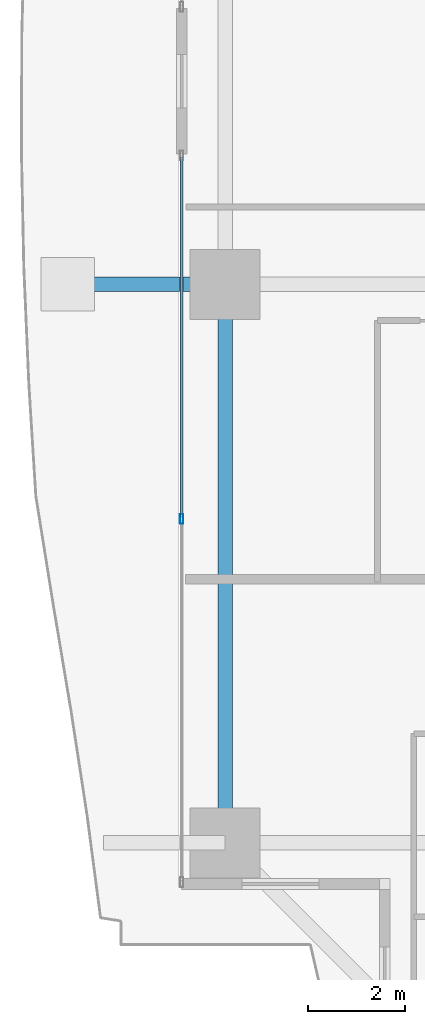
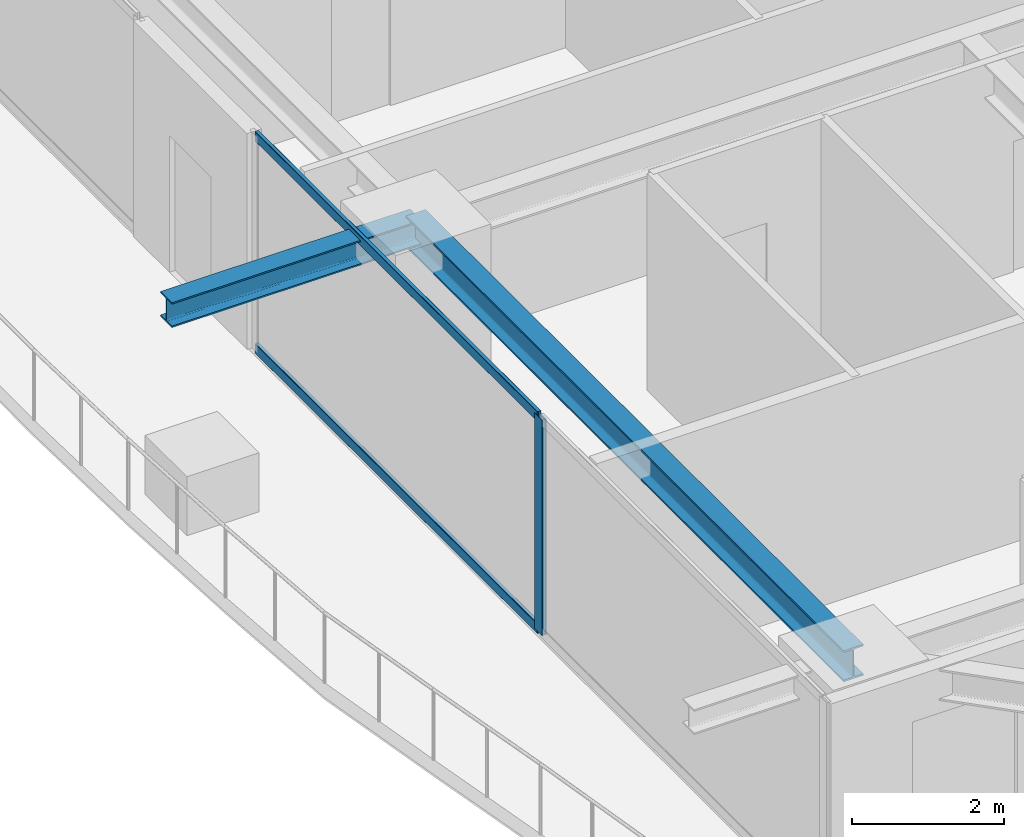
# One storey, part 6 of 36: 3 members, 2 beams, 1 element without a shape of its own.
"""IFC4 building model written with IfcOpenShell, lengths in metres."""

from ifc_helpers import new_model, si_unit, direction, frame, origin, origin_2d, place, context, subcontext, project, spatial, hollow_rectangle, i_section, extrude, source, transform, mapped, material, layer, layer_set, material_profile, profile_set, type_object, element, aggregate, save


model = new_model("IFC4")

# Units and contexts
model_context = context("Model", 3, precision=1e-05, world=origin(), true_north=direction((0.0, 1.0)))
body_context = subcontext(model_context, "Body", "Model", "MODEL_VIEW")
ifc_project = project(units=[si_unit("LENGTHUNIT", "METRE"), si_unit("AREAUNIT", "SQUARE_METRE"), si_unit("VOLUMEUNIT", "CUBIC_METRE"), si_unit("PLANEANGLEUNIT", "RADIAN"), si_unit("MASSUNIT", "GRAM", prefix="KILO")], contexts=[model_context])

# Site, building, storey
site_placement = place(None, origin())
site = spatial("IfcSite", under=ifc_project, at=site_placement, CompositionType="ELEMENT")
building_placement = place(site_placement, origin())
building = spatial("IfcBuilding", under=site, at=building_placement, Name="Serunith Strait Residences", CompositionType="ELEMENT")
storey_placement = place(building_placement, frame((0.0, 0.0, 41.699951171875)))
storey = spatial("IfcBuildingStorey", under=building, at=storey_placement, Name="L09", CompositionType="ELEMENT", Elevation=41.699951171875)

# Beams
ifc_material_1 = material(Name="Steel S355J2", Category="steel")
ifc_material_profile_1 = material_profile(ifc_material_1, i_section(OverallWidth=0.300048828125, OverallDepth=0.5, WebThickness=0.014404296875, FlangeThickness=0.028076171875, FilletRadius=0.027099609375, at=origin_2d()), Name="HEB 500")
ifc_profile_set_1 = profile_set([ifc_material_profile_1], Name="Steel S355J2")
beam_type_1 = type_object("IfcBeamType", Name="BM-HEB500", PredefinedType="BEAM", material=ifc_profile_set_1)
shared_shape_1 = source(origin(), body_context, "Body", "SweptSolid", [
    extrude(i_section(OverallWidth=0.300048828125, OverallDepth=0.5, WebThickness=0.014404296875, FlangeThickness=0.028076171875, FilletRadius=0.027099609375, at=origin_2d()), origin(), (0.0, 0.0, 1.0), 11.550048828125),
])
beam_1_placement = place(storey_placement, frame((6.89990234375, 21.0, 3.237060546875), z_axis=(0.0, -1.0, 0.0), x_axis=(1.0, 0.0, 0.0)))
element("IfcBeam", 1, at=beam_1_placement, inside=storey, type_object=beam_type_1, Name="L09 Perimeter Ring Beam 15", PredefinedType="BEAM", context=body_context, shape_type="MappedRepresentation", body=[
    mapped(shared_shape_1, transform((0.0, 0.0, 0.0), scale=1.0)),
])
ifc_material_profile_2 = material_profile(ifc_material_1, i_section(OverallWidth=0.300048828125, OverallDepth=0.39990234375, WebThickness=0.013427734375, FlangeThickness=0.02392578125, FilletRadius=0.027099609375, at=origin_2d()), Name="HEB 400")
ifc_profile_set_2 = profile_set([ifc_material_profile_2], Name="Steel S355J2")
beam_type_2 = type_object("IfcBeamType", Name="BM-HEB400", PredefinedType="BEAM", material=ifc_profile_set_2)
shared_shape_2 = source(origin(), body_context, "Body", "SweptSolid", [
    extrude(i_section(OverallWidth=0.300048828125, OverallDepth=0.39990234375, WebThickness=0.013427734375, FlangeThickness=0.02392578125, FilletRadius=0.027099609375, at=origin_2d()), origin(), (0.0, 0.0, 1.0), 3.7998046875),
])
beam_2_placement = place(storey_placement, frame((6.89990234375, 21.0, 3.257080078125), z_axis=(-1.0, 0.0, 0.0), x_axis=(0.0, -1.0, 0.0)))
element("IfcBeam", 2, at=beam_2_placement, inside=storey, type_object=beam_type_2, Name="L10 Cantilevered Balcony Rib TC-W2", PredefinedType="BEAM", context=body_context, shape_type="MappedRepresentation", body=[
    mapped(shared_shape_2, transform((0.0, 0.0, 0.0), scale=1.0)),
])

# Curtain wall, members
ifc_material_2 = material(Name="Pale-Champagne Anodised Aluminium", Category="aluminium")
ifc_layer = layer(ifc_material_2, 0.199951171875, Name="Pale-Champagne Anodised Aluminium")
ifc_layer_set = layer_set([ifc_layer], Name="Pale-Champagne Anodised Aluminium")
curtain_wall_type = type_object("IfcCurtainWallType", Name="CW-SYS1", PredefinedType="NOTDEFINED", material=ifc_layer_set)
curtain_wall_placement = place(storey_placement, origin())
curtain_wall = element("IfcCurtainWall", 3, at=curtain_wall_placement, inside=storey, type_object=curtain_wall_type, Name="L09 W Unitised Fritted Curtain Wall", PredefinedType="NOTDEFINED")
ifc_material_profile_3 = material_profile(ifc_material_2, hollow_rectangle(XDim=0.070068359375, YDim=0.199951171875, WallThickness=0.00390625, InnerFilletRadius=0.006103515625, OuterFilletRadius=0.010009765625, at=origin_2d()), Name="ALU 200x70x4")
ifc_profile_set_3 = profile_set([ifc_material_profile_3], Name="Pale-Champagne Anodised Aluminium")
member_type_1 = type_object("IfcMemberType", Name="CW-SYS1-MULL", PredefinedType="MULLION", material=ifc_profile_set_3)
shared_shape_3 = source(origin(), body_context, "Body", "SweptSolid", [
    extrude(hollow_rectangle(XDim=0.070068359375, YDim=0.199951171875, WallThickness=0.00390625, InnerFilletRadius=0.006103515625, OuterFilletRadius=0.010009765625, at=origin_2d()), origin(), (0.0, 0.0, 1.0), 3.47509765625),
])
member_1_placement = place(storey_placement, frame((6.0, 16.14990234375, 0.0), z_axis=(0.0, 0.0, 1.0), x_axis=(1.0, 0.0, 0.0)))
member_1 = element("IfcMember", 4, at=member_1_placement, type_object=member_type_1, Name="CW-1 mullion 2", PredefinedType="MULLION", context=body_context, shape_type="MappedRepresentation", body=[
    mapped(shared_shape_3, transform((0.0, 0.0, 0.0), scale=1.0)),
])
ifc_material_profile_4 = material_profile(ifc_material_2, hollow_rectangle(XDim=0.06005859375, YDim=0.159912109375, WallThickness=0.00341796875, InnerFilletRadius=0.00537109375, OuterFilletRadius=0.0087890625, at=origin_2d()), Name="ALU 160x60x3.5")
ifc_profile_set_4 = profile_set([ifc_material_profile_4], Name="Pale-Champagne Anodised Aluminium")
member_type_2 = type_object("IfcMemberType", Name="CW-SYS1-TRAN", PredefinedType="USERDEFINED", material=ifc_profile_set_4)
shared_shape_4 = source(origin(), body_context, "Body", "SweptSolid", [
    extrude(hollow_rectangle(XDim=0.06005859375, YDim=0.159912109375, WallThickness=0.00341796875, InnerFilletRadius=0.00537109375, OuterFilletRadius=0.0087890625, at=origin_2d()), origin(), (0.0, 0.0, 1.0), 7.44482421875),
])
member_2_placement = place(storey_placement, frame((6.0, 23.6298828125, 0.030029296875), z_axis=(0.0, -1.0, 0.0), x_axis=(1.0, 0.0, 0.0)))
member_2 = element("IfcMember", 5, at=member_2_placement, type_object=member_type_2, Name="CW-1 transom 1.1", ObjectType="TRANSOM", PredefinedType="USERDEFINED", context=body_context, shape_type="MappedRepresentation", body=[
    mapped(shared_shape_4, transform((0.0, 0.0, 0.0), scale=1.0)),
])
member_3_placement = place(storey_placement, frame((6.0, 23.6298828125, 3.445068359375), z_axis=(0.0, -1.0, 0.0), x_axis=(1.0, 0.0, 0.0)))
member_3 = element("IfcMember", 6, at=member_3_placement, type_object=member_type_2, Name="CW-1 transom 1.2", ObjectType="TRANSOM", PredefinedType="USERDEFINED", context=body_context, shape_type="MappedRepresentation", body=[
    mapped(shared_shape_4, transform((0.0, 0.0, 0.0), scale=1.0)),
])
aggregate(curtain_wall, [member_1, member_2, member_3])

save(model, "model.ifc")
